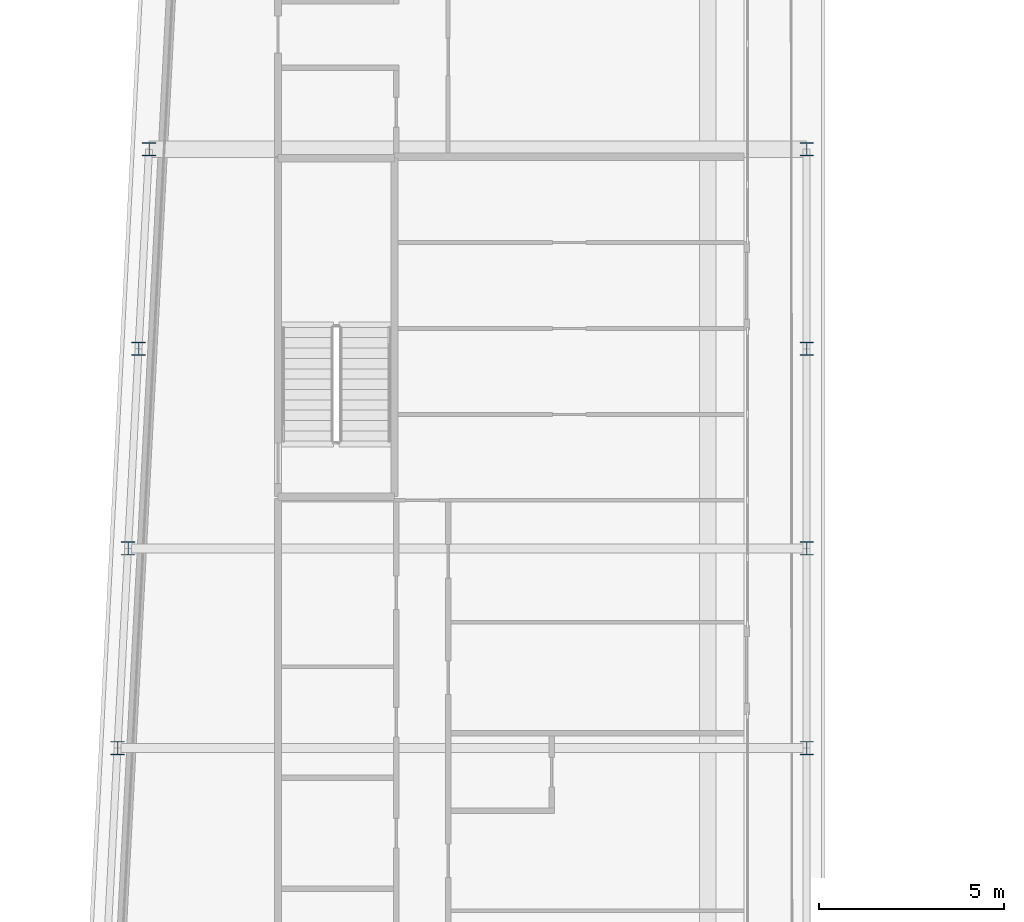
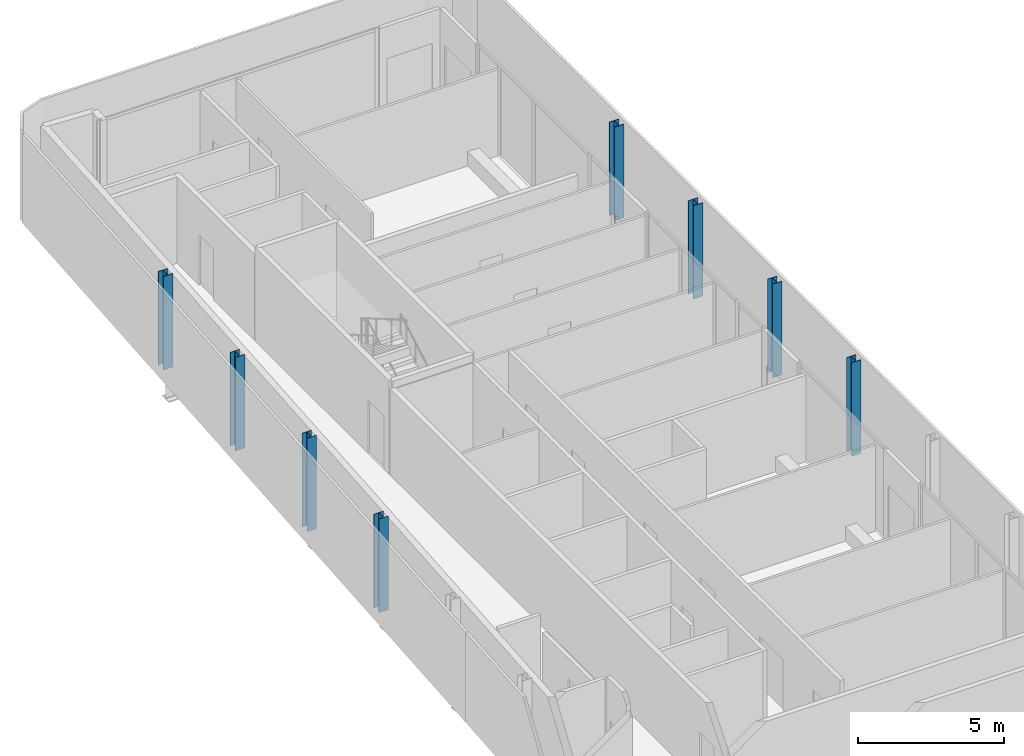
# One storey, part 3 of 18: 8 columns.
"""IFC4 building model written with IfcOpenShell, lengths in metres."""

from ifc_helpers import new_model, si_unit, direction, frame, origin, origin_2d, place, context, subcontext, project, spatial, i_section, extrude, material, material_profile, profile_set, type_object, element, save


model = new_model("IFC4")

# Units and contexts
model_context = context("Model", 3, precision=1e-05, world=origin(), true_north=direction((0.0, 1.0)))
body_context = subcontext(model_context, "Body", "Model", "MODEL_VIEW")
ifc_project = project(units=[si_unit("LENGTHUNIT", "METRE"), si_unit("AREAUNIT", "SQUARE_METRE"), si_unit("VOLUMEUNIT", "CUBIC_METRE"), si_unit("PLANEANGLEUNIT", "RADIAN"), si_unit("MASSUNIT", "GRAM", prefix="KILO")], contexts=[model_context])

# Site, building, storey
site_placement = place(None, origin())
site = spatial("IfcSite", under=ifc_project, at=site_placement, CompositionType="ELEMENT")
building_placement = place(site_placement, origin())
building = spatial("IfcBuilding", under=site, at=building_placement, Name="Kheshtan School and Residences Tower", CompositionType="ELEMENT")
storey_placement = place(building_placement, frame((0.0, 0.0, 385.10009765625)))
storey = spatial("IfcBuildingStorey", under=building, at=storey_placement, Name="L91", CompositionType="ELEMENT", Elevation=385.10009765625)

# Columns
ifc_material = material(Name="Steel ASTM A992 Grade 50", Category="steel")
ifc_material_profile = material_profile(ifc_material, i_section(OverallWidth=0.37109375, OverallDepth=0.364013671875, WebThickness=0.01318359375, FlangeThickness=0.021728515625, FilletRadius=0.010986328125, at=origin_2d()), Name="W360x162")
ifc_profile_set = profile_set([ifc_material_profile], Name="Steel ASTM A992 Grade 50")
column_type = type_object("IfcColumnType", Name="Column C6 W360x162 ASTM A992 Grade 50", PredefinedType="COLUMN", material=ifc_profile_set)
for number, where, z_axis, x_axis, name in (
    (1, (28.9580078125, 72.60009765625, 0.0), (0.0, 0.0, 1.0), (1.0, 0.0, 0.0), "Column C086"),
    (2, (47.60009765625, 72.60009765625, 0.0), (0.0, 0.0, 1.0), (1.0, 0.0, 0.0), "Column C087"),
    (3, (29.242919921875, 78.0, 0.0), (0.0, 0.0, 1.0), (1.0, 0.0, 0.0), "Column C088"),
    (4, (47.60009765625, 78.0, 0.0), (0.0, 0.0, 1.0), (1.0, 0.0, 0.0), "Column C089"),
    (5, (29.527099609375, 83.39990234375, 0.0), (0.0, 0.0, 1.0), (1.0, 0.0, 0.0), "Column C090"),
    (6, (47.60009765625, 83.39990234375, 0.0), (0.0, 0.0, 1.0), (1.0, 0.0, 0.0), "Column C091"),
    (7, (29.81103515625, 88.800048828125, 0.0), (0.0, 0.0, 1.0), (1.0, 0.0, 0.0), "Column C098"),
    (8, (47.60009765625, 88.800048828125, 0.0), (0.0, 0.0, 1.0), (1.0, 0.0, 0.0), "Column C099"),
):
    element("IfcColumn", number, at=place(storey_placement, frame(where, z_axis=z_axis, x_axis=x_axis)), inside=storey, type_object=column_type, Name=name, PredefinedType="COLUMN", context=body_context, shape_type="SweptSolid", body=[
        extrude(i_section(OverallWidth=0.37109375, OverallDepth=0.364013671875, WebThickness=0.01318359375, FlangeThickness=0.021728515625, FilletRadius=0.010986328125, at=origin_2d()), origin(), (0.0, 0.0, 1.0), 3.89990234375),
    ])

save(model, "model.ifc")
